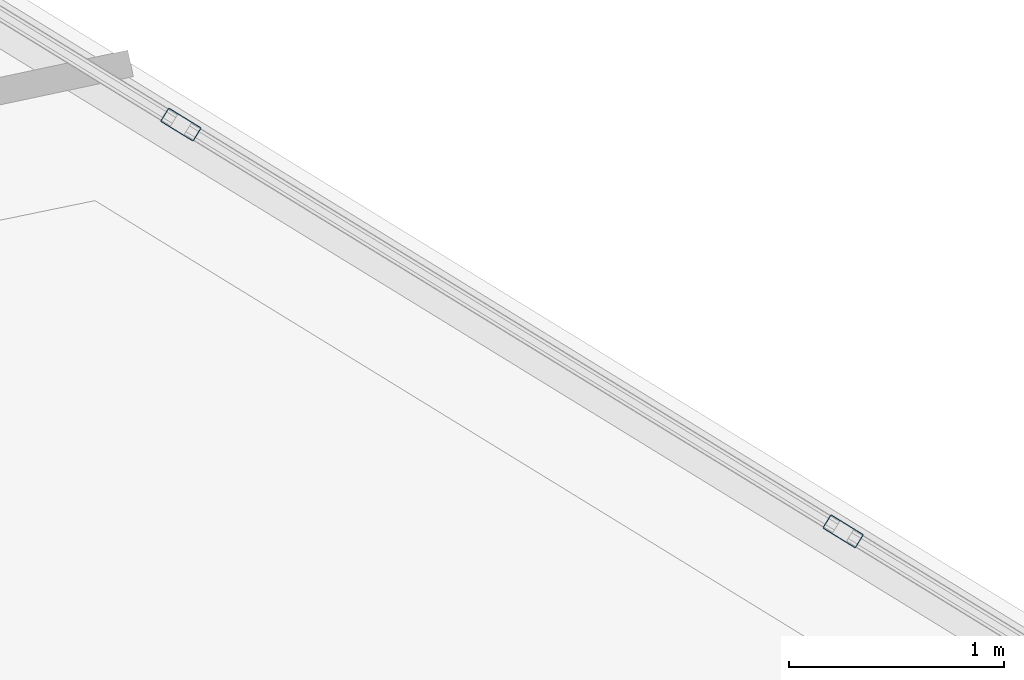
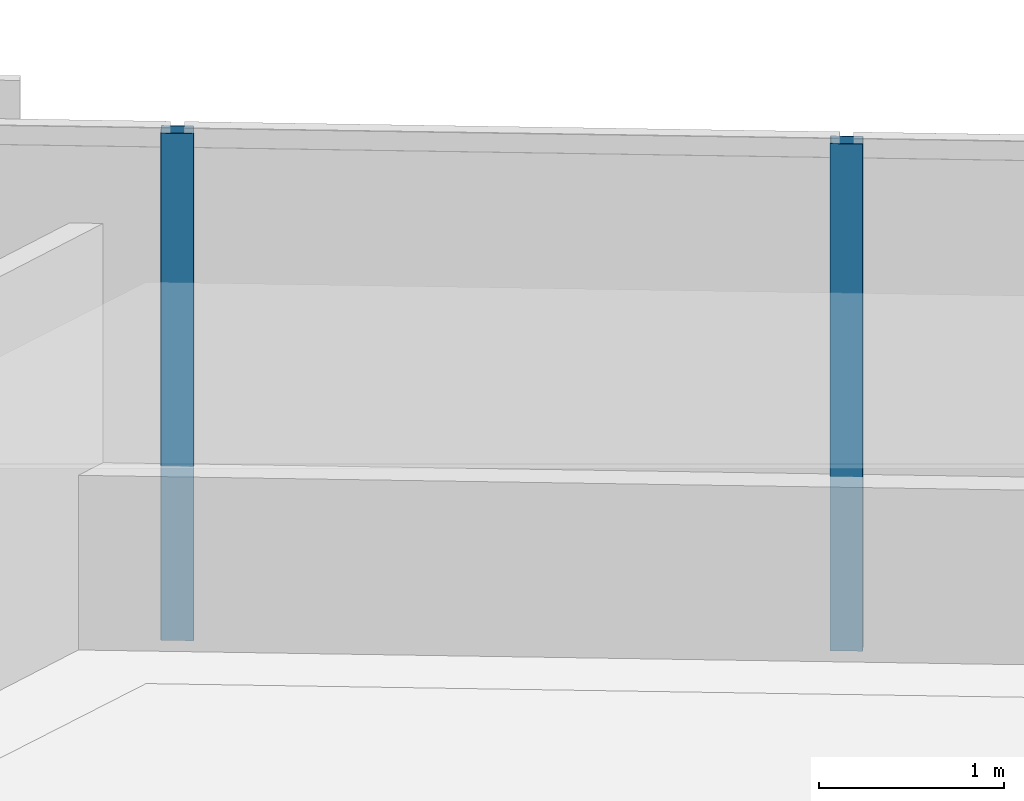
# One storey, part 8 of 18: 2 members, 1 element without a shape of its own.
"""IFC4 building model written with IfcOpenShell, lengths in metres."""

from ifc_helpers import new_model, si_unit, direction, frame, origin, origin_2d, place, context, subcontext, project, spatial, hollow_rectangle, extrude, material, material_profile, profile_set, type_object, element, aggregate, save


model = new_model("IFC4")

# Units and contexts
model_context = context("Model", 3, precision=1e-05, world=origin(), true_north=direction((0.0, 1.0)))
body_context = subcontext(model_context, "Body", "Model", "MODEL_VIEW")
ifc_project = project(units=[si_unit("LENGTHUNIT", "METRE"), si_unit("AREAUNIT", "SQUARE_METRE"), si_unit("VOLUMEUNIT", "CUBIC_METRE"), si_unit("PLANEANGLEUNIT", "RADIAN"), si_unit("MASSUNIT", "GRAM", prefix="KILO")], contexts=[model_context])

# Site, building, storey
site_placement = place(None, origin())
site = spatial("IfcSite", under=ifc_project, at=site_placement, CompositionType="ELEMENT")
building_placement = place(site_placement, origin())
building = spatial("IfcBuilding", under=site, at=building_placement, Name="Narakoshi Arena Tower", CompositionType="ELEMENT")
storey_placement = place(building_placement, frame((0.0, 0.0, 110.10009765625)))
storey = spatial("IfcBuildingStorey", under=building, at=storey_placement, Name="L29", CompositionType="ELEMENT", Elevation=110.10009765625)

# Curtain wall, members
ifc_material = material(Name="Anodised bronze aluminium 6063-T6", Category="aluminium")
curtain_wall_type = type_object("IfcCurtainWallType", Name="CW-HYP-LOW", PredefinedType="NOTDEFINED", material=ifc_material)
curtain_wall_placement = place(storey_placement, origin())
curtain_wall = element("IfcCurtainWall", 1, at=curtain_wall_placement, inside=storey, type_object=curtain_wall_type, Name="L29 Folded Hypotenuse Curtain Wall 1-1", PredefinedType="NOTDEFINED")
ifc_material_profile = material_profile(ifc_material, hollow_rectangle(XDim=0.074951171875, YDim=0.179931640625, WallThickness=0.00390625, OuterFilletRadius=0.0048828125, at=origin_2d()), Name="MUL180x75x4")
ifc_profile_set = profile_set([ifc_material_profile], Name="Anodised bronze aluminium 6063-T6")
member_type = type_object("IfcMemberType", Name="MEM-MUL-180", PredefinedType="MULLION", material=ifc_profile_set)
member_1_placement = place(storey_placement, frame((109.9638671875, 49.1982421875, 0.0), z_axis=(0.0, 0.0, 1.0), x_axis=(-0.523357676535, -0.852113104237, 0.0)))
member_1 = element("IfcMember", 2, at=member_1_placement, type_object=member_type, Name="CW-01 mullion 4", PredefinedType="MULLION", context=body_context, shape_type="SweptSolid", body=[
    extrude(hollow_rectangle(XDim=0.074951171875, YDim=0.179931640625, WallThickness=0.00390625, OuterFilletRadius=0.0048828125, at=origin_2d()), origin(), (0.0, 0.0, 1.0), 3.33984375),
])
member_2_placement = place(storey_placement, frame((106.886962890625, 51.088134765625, 0.0), z_axis=(0.0, 0.0, 1.0), x_axis=(-0.523357676535, -0.852113104237, 0.0)))
member_2 = element("IfcMember", 3, at=member_2_placement, type_object=member_type, Name="CW-01 mullion 5", PredefinedType="MULLION", context=body_context, shape_type="SweptSolid", body=[
    extrude(hollow_rectangle(XDim=0.074951171875, YDim=0.179931640625, WallThickness=0.00390625, OuterFilletRadius=0.0048828125, at=origin_2d()), origin(), (0.0, 0.0, 1.0), 3.33984375),
])
aggregate(curtain_wall, [member_1, member_2])

save(model, "model.ifc")
